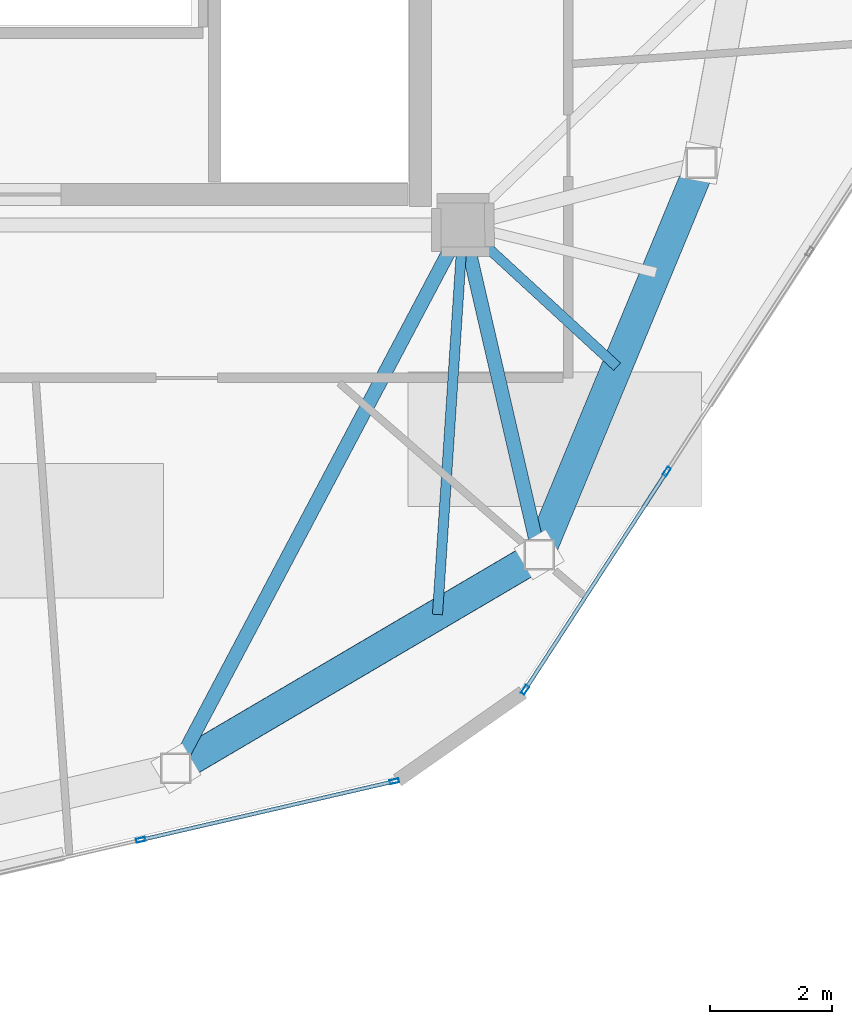
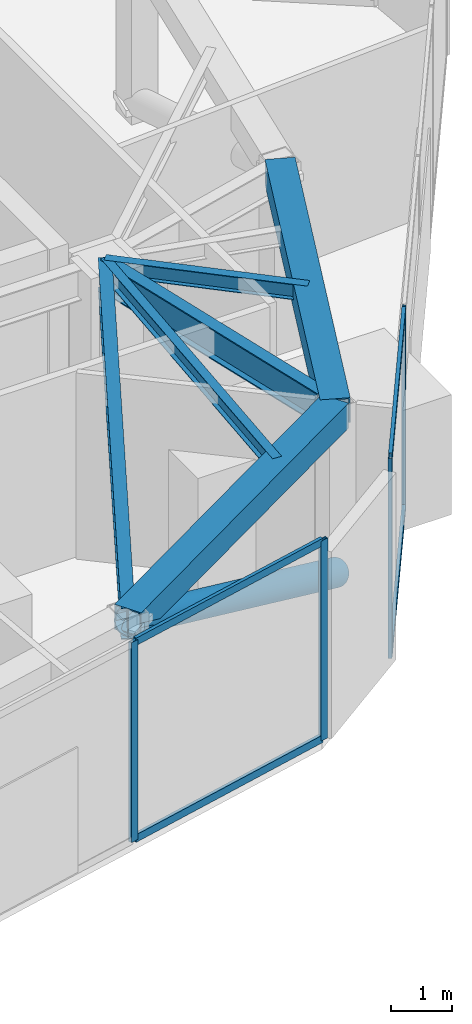
# One storey, part 7 of 20: 9 members, 6 beams, 2 elements without a shape of their own.
"""IFC4 building model written with IfcOpenShell, lengths in metres."""

import ifcopenshell
import ifcopenshell.guid

model = None  # the IFC model being written
_history = None  # IfcOwnerHistory: only IFC2X3 demands one
_inside = {}  # id of a spatial element -> (the spatial element, [elements in it])
_under = {}  # id of a project, library or spatial element -> (it, [spatial elements below it])
_declared = {}  # id of a project -> (the project, [libraries it declares])
_typed = {}  # id of a type object -> (the type object, [elements of that type])
_made_of = {}  # id of a material, layer set ... -> (it, [elements and type objects made of it])


def new_model(schema):
    """Start an empty IFC model of exactly this schema.

    Asked for "IFC4X3", IfcOpenShell would pick the latest addendum, in which some entities
    have other attributes; the version numbers below select the first issue.
    IFC2X3 requires an IfcOwnerHistory on every rooted entity: one is made here for all.
    """
    global model, _history
    if schema == "IFC4X3":
        model = ifcopenshell.file(schema_version=(4, 3, 0, 0))
    else:
        model = ifcopenshell.file(schema=schema)
    _inside.clear()
    _under.clear()
    _declared.clear()
    _typed.clear()
    _made_of.clear()
    _history = None
    if model.schema == "IFC2X3":
        org = make("IfcOrganization", Name="unknown")
        user = make(
            "IfcPersonAndOrganization",
            ThePerson=make("IfcPerson", FamilyName="unknown"),
            TheOrganization=org,
        )
        app = make(
            "IfcApplication",
            ApplicationDeveloper=org,
            Version="unknown",
            ApplicationFullName="unknown",
            ApplicationIdentifier="unknown",
        )
        _history = make(
            "IfcOwnerHistory",
            OwningUser=user,
            OwningApplication=app,
            ChangeAction="ADDED",
            CreationDate=0,
        )
    return model


def make(cls, **values):
    """One entity of the class cls with the attributes given. An attribute that is None is left unset."""
    return model.create_entity(
        cls, **{name: value for name, value in values.items() if value is not None}
    )


def rooted(cls, **values):
    """An entity with a GlobalId (a new one), such as an element, a storey or a relation."""
    return make(cls, GlobalId=ifcopenshell.guid.new(), OwnerHistory=_history, **values)


def si_unit(unit_type, name, prefix=None):
    """IfcSIUnit, for example si_unit("LENGTHUNIT", "METRE", prefix="MILLI")."""
    return make("IfcSIUnit", UnitType=unit_type, Prefix=prefix, Name=name)


def assignment(units):
    """IfcUnitAssignment: the units of a project."""
    return None if units is None else make("IfcUnitAssignment", Units=units)


def point(xyz):
    """IfcCartesianPoint."""
    return None if xyz is None else make("IfcCartesianPoint", Coordinates=xyz)


def direction(xyz):
    """IfcDirection."""
    return None if xyz is None else make("IfcDirection", DirectionRatios=xyz)


def frame(location, z_axis=None, x_axis=None):
    """IfcAxis2Placement3D, a coordinate frame: its origin and axes. An axis left out is left unset."""
    return make(
        "IfcAxis2Placement3D",
        Location=point(location),
        Axis=direction(z_axis),
        RefDirection=direction(x_axis),
    )


def frame_2d(location, x_axis=None):
    """IfcAxis2Placement2D, a coordinate frame in the plane: its origin and x axis."""
    return make(
        "IfcAxis2Placement2D", Location=point(location), RefDirection=direction(x_axis)
    )


def origin():
    """The frame at (0, 0, 0) with its axes left unset."""
    return frame((0.0, 0.0, 0.0))


def origin_2d():
    """The frame at (0, 0) in the plane with its x axis left unset."""
    return frame_2d((0.0, 0.0))


def place(relative_to, where):
    """IfcLocalPlacement: puts the frame where relative to a parent placement (None: the world)."""
    return make(
        "IfcLocalPlacement", PlacementRelTo=relative_to, RelativePlacement=where
    )


def context(
    kind, dimensions, precision=None, world=None, true_north=None, identifier=None
):
    """IfcGeometricRepresentationContext, for example the 3D "Model" context."""
    return make(
        "IfcGeometricRepresentationContext",
        ContextIdentifier=identifier,
        ContextType=kind,
        CoordinateSpaceDimension=dimensions,
        Precision=precision,
        WorldCoordinateSystem=world,
        TrueNorth=true_north,
    )


def subcontext(parent, identifier, kind, view, scale=None):
    """IfcGeometricRepresentationSubContext, for example "Body" below "Model"."""
    return make(
        "IfcGeometricRepresentationSubContext",
        ContextIdentifier=identifier,
        ContextType=kind,
        ParentContext=parent,
        TargetScale=scale,
        TargetView=view,
    )


def project(units=None, contexts=None):
    """IfcProject with its units and contexts."""
    return rooted(
        "IfcProject",
        Name="project",
        RepresentationContexts=contexts,
        UnitsInContext=assignment(units),
    )


def spatial(cls, under=None, at=None, **own):
    """A site, building, storey or space (cls), placed at a placement, below another one or the project."""
    s = rooted(cls, ObjectPlacement=at, **own)
    if under is not None:
        _under.setdefault(under.id(), (under, []))[1].append(s)
    return s


def profile(cls, at=None, kind="AREA", **sizes):
    """A parametric profile (cls). Its sizes go by their IFC names, for example OverallWidth=200.0."""
    return make(cls, ProfileType=kind, Position=at, **sizes)


def hollow_rectangle(**sizes):
    """IfcRectangleHollowProfileDef."""
    return profile("IfcRectangleHollowProfileDef", **sizes)


def hollow_circle(**sizes):
    """IfcCircleHollowProfileDef."""
    return profile("IfcCircleHollowProfileDef", **sizes)


def i_section(**sizes):
    """IfcIShapeProfileDef."""
    return profile("IfcIShapeProfileDef", **sizes)


def extrude(swept, where, along, depth):
    """IfcExtrudedAreaSolid: the profile swept, set in the frame where, extruded along a direction by depth."""
    return make(
        "IfcExtrudedAreaSolid",
        SweptArea=swept,
        Position=where,
        ExtrudedDirection=direction(along),
        Depth=depth,
    )


def shape(context_of_items, identifier, shape_type, items):
    """IfcShapeRepresentation: the items that make up one representation, for example the "Body"."""
    return make(
        "IfcShapeRepresentation",
        ContextOfItems=context_of_items,
        RepresentationIdentifier=identifier,
        RepresentationType=shape_type,
        Items=items,
    )


def source(mapping_origin, context_of_items, identifier, shape_type, items):
    """IfcRepresentationMap: a shape defined once, which mapped items show again and again."""
    return make(
        "IfcRepresentationMap",
        MappingOrigin=mapping_origin,
        MappedRepresentation=shape(context_of_items, identifier, shape_type, items),
    )


def transform(
    local_origin,
    x_axis=None,
    y_axis=None,
    z_axis=None,
    scale=None,
    scale2=None,
    scale3=None,
    uniform=True,
):
    """IfcCartesianTransformationOperator3D, or its non-uniform kind. x_axis, y_axis, z_axis: its Axis1, 2, 3."""
    if uniform:
        return make(
            "IfcCartesianTransformationOperator3D",
            Axis1=direction(x_axis),
            Axis2=direction(y_axis),
            LocalOrigin=point(local_origin),
            Scale=scale,
            Axis3=direction(z_axis),
        )
    return make(
        "IfcCartesianTransformationOperator3DnonUniform",
        Axis1=direction(x_axis),
        Axis2=direction(y_axis),
        LocalOrigin=point(local_origin),
        Scale=scale,
        Axis3=direction(z_axis),
        Scale2=scale2,
        Scale3=scale3,
    )


def mapped(mapping_source, mapping_target):
    """IfcMappedItem: shows the shape of a source again, moved by a transform."""
    return make(
        "IfcMappedItem", MappingSource=mapping_source, MappingTarget=mapping_target
    )


def material(Name=None, Category=None):
    """IfcMaterial."""
    return make("IfcMaterial", Name=Name, Category=Category)


def layer(
    of_material, thickness, ventilated=None, Name=None, Category=None, Priority=None
):
    """IfcMaterialLayer: one layer of a wall or slab, of a material (None: an air gap)."""
    return make(
        "IfcMaterialLayer",
        Material=of_material,
        LayerThickness=thickness,
        IsVentilated=ventilated,
        Name=Name,
        Category=Category,
        Priority=Priority,
    )


def layer_set(layers, Name=None):
    """IfcMaterialLayerSet."""
    return make("IfcMaterialLayerSet", MaterialLayers=layers, LayerSetName=Name)


def material_profile(
    of_material, cross_section, Name=None, Category=None, Priority=None
):
    """IfcMaterialProfile: a cross section and its material."""
    return make(
        "IfcMaterialProfile",
        Name=Name,
        Material=of_material,
        Profile=cross_section,
        Priority=Priority,
        Category=Category,
    )


def profile_set(profiles, Name=None, composite=None):
    """IfcMaterialProfileSet."""
    return make(
        "IfcMaterialProfileSet",
        Name=Name,
        MaterialProfiles=profiles,
        CompositeProfile=composite,
    )


def made_of(thing, what):
    """Note that an element or type object is made of a material, layer set ...; save() writes the relation."""
    if what is not None:
        _made_of.setdefault(what.id(), (what, []))[1].append(thing)
    return thing


def type_object(cls, material=None, **own):
    """A type object (cls), such as IfcWallType, which elements share."""
    return made_of(rooted(cls, **own), material)


def type_shapes(of_type, sources):
    """Give a type object the sources (RepresentationMaps) that its elements show as mapped items."""
    of_type.RepresentationMaps = sources


def element(
    cls,
    number,
    at=None,
    inside=None,
    cuts=None,
    type_object=None,
    material=None,
    context=None,
    identifier="Body",
    shape_type=None,
    held_by="IfcProductDefinitionShape",
    body=None,
    shapes=None,
    **own,
):
    """One element of the class cls, such as IfcWall. Its Tag is "e" and its number.

    at: its placement. inside: the storey or other place that contains it. cuts: it is an
    opening in that element (IfcRelVoidsElement). A single representation is given by context,
    identifier, shape_type and body (its items); several are given by shapes. held_by: the class
    of the entity that holds the representations. save() writes the other relations.
    """
    e = rooted(cls, Tag="e%d" % number, ObjectPlacement=at, **own)
    if body is not None:
        shapes = [shape(context, identifier, shape_type, body)]
    if shapes is not None:
        e.Representation = make(held_by, Representations=shapes)
    if inside is not None:
        _inside.setdefault(inside.id(), (inside, []))[1].append(e)
    if cuts is not None:
        rooted(
            "IfcRelVoidsElement", RelatingBuildingElement=cuts, RelatedOpeningElement=e
        )
    if type_object is not None:
        _typed.setdefault(type_object.id(), (type_object, []))[1].append(e)
    return made_of(e, material)


def aggregate(whole, parts):
    """IfcRelAggregates: a whole, such as a stair, and the parts it consists of."""
    return rooted("IfcRelAggregates", RelatingObject=whole, RelatedObjects=parts)


def save(model, path):
    """Write the relations noted so far, then the file.

    IfcRelAggregates (storeys below a building ...), IfcRelContainedInSpatialStructure (elements
    in a storey), IfcRelDefinesByType, IfcRelAssociatesMaterial and IfcRelDeclares: one each for
    every whole, place, type object, material and project.
    """
    for whole, parts in _under.values():
        aggregate(whole, parts)
    for where, things in _inside.values():
        rooted(
            "IfcRelContainedInSpatialStructure",
            RelatedElements=things,
            RelatingStructure=where,
        )
    for kind, things in _typed.values():
        rooted("IfcRelDefinesByType", RelatedObjects=things, RelatingType=kind)
    for what, things in _made_of.values():
        rooted("IfcRelAssociatesMaterial", RelatedObjects=things, RelatingMaterial=what)
    for by, libraries in _declared.values():
        rooted("IfcRelDeclares", RelatingContext=by, RelatedDefinitions=libraries)
    model.write(path)


model = new_model("IFC4")

# Units and contexts
model_context = context("Model", 3, precision=1e-05, world=origin(), true_north=direction((0.0, 1.0)))
body_context = subcontext(model_context, "Body", "Model", "MODEL_VIEW")
ifc_project = project(units=[si_unit("LENGTHUNIT", "METRE"), si_unit("AREAUNIT", "SQUARE_METRE"), si_unit("VOLUMEUNIT", "CUBIC_METRE"), si_unit("PLANEANGLEUNIT", "RADIAN"), si_unit("MASSUNIT", "GRAM", prefix="KILO")], contexts=[model_context])

# Site, building, storey
site_placement = place(None, origin())
site = spatial("IfcSite", under=ifc_project, at=site_placement, CompositionType="ELEMENT")
building_placement = place(site_placement, origin())
building = spatial("IfcBuilding", under=site, at=building_placement, Name="Talar Marvaseh", CompositionType="ELEMENT")
storey_placement = place(building_placement, frame((0.0, 0.0, 312.0)))
storey = spatial("IfcBuildingStorey", under=building, at=storey_placement, Name="L83", CompositionType="ELEMENT", Elevation=312.0)

# Beams
ifc_material_1 = material(Name="Steel S460", Category="steel")
ifc_material_profile_1 = material_profile(ifc_material_1, hollow_rectangle(XDim=0.5, YDim=0.5, WallThickness=0.02490234375, at=origin_2d()), Name="BOX500x500x25")
ifc_profile_set_1 = profile_set([ifc_material_profile_1], Name="Steel S460")
beam_type_1 = type_object("IfcBeamType", Name="Crown Frame Top Ring Beam BOX500x500x25", PredefinedType="BEAM", material=ifc_profile_set_1)
beam_1_placement = place(storey_placement, frame((37.197021484375, 26.513916015625, 3.47509765625), z_axis=(-0.382798740112, -0.923831762048, 0.0), x_axis=(0.923831762048, -0.382798740112, 0.0)))
element("IfcBeam", 1, at=beam_1_placement, inside=storey, type_object=beam_type_1, Name="L83 Crown Frame Top Ring Beam BOX500x500x25", PredefinedType="BEAM", context=body_context, shape_type="SweptSolid", body=[
    extrude(hollow_rectangle(XDim=0.5, YDim=0.5, WallThickness=0.02490234375, at=origin_2d()), origin(), (0.0, 0.0, 1.0), 6.9306640625),
])
beam_2_placement = place(storey_placement, frame((34.5439453125, 20.111083984375, 3.47509765625), z_axis=(-0.861894136287, -0.507088254482, 0.0), x_axis=(0.507088254482, -0.861894136287, 0.0)))
element("IfcBeam", 2, at=beam_2_placement, inside=storey, type_object=beam_type_1, Name="L83 Crown Frame Top Ring Beam BOX500x500x25", PredefinedType="BEAM", context=body_context, shape_type="SweptSolid", body=[
    extrude(hollow_rectangle(XDim=0.5, YDim=0.5, WallThickness=0.02490234375, at=origin_2d()), origin(), (0.0, 0.0, 1.0), 6.890625),
])
ifc_material_2 = material(Name="Steel S355", Category="steel")
ifc_material_profile_2 = material_profile(ifc_material_2, i_section(OverallWidth=0.166015625, OverallDepth=0.31298828125, WebThickness=0.006591796875, FlangeThickness=0.01123046875, at=origin_2d()), Name="W310x45")
ifc_profile_set_2 = profile_set([ifc_material_profile_2], Name="Steel S355")
beam_type_2 = type_object("IfcBeamType", Name="Zone 3 Secondary Floor Joist W310x45", PredefinedType="JOIST", material=ifc_profile_set_2)
beam_3_placement = place(storey_placement, frame((35.8173828125, 23.184326171875, 3.568603515625), z_axis=(-0.735970843201, 0.677013233223, 0.0), x_axis=(-0.677013233223, -0.735970843201, 0.0)))
element("IfcBeam", 3, at=beam_3_placement, inside=storey, type_object=beam_type_2, Name="L83 Zone 3 Secondary Floor Joist W310x45", PredefinedType="JOIST", context=body_context, shape_type="SweptSolid", body=[
    extrude(i_section(OverallWidth=0.166015625, OverallDepth=0.31298828125, WebThickness=0.006591796875, FlangeThickness=0.01123046875, at=origin_2d()), origin(), (0.0, 0.0, 1.0), 3.42041015625),
])
beam_4_placement = place(storey_placement, frame((32.881103515625, 19.1328125, 3.568603515625), z_axis=(0.065655577597, 0.997842344827, 0.0), x_axis=(-0.997842344827, 0.065655577597, 0.0)))
element("IfcBeam", 4, at=beam_4_placement, inside=storey, type_object=beam_type_2, Name="L83 Zone 3 Secondary Floor Joist W310x45", PredefinedType="JOIST", context=body_context, shape_type="SweptSolid", body=[
    extrude(i_section(OverallWidth=0.166015625, OverallDepth=0.31298828125, WebThickness=0.006591796875, FlangeThickness=0.01123046875, at=origin_2d()), origin(), (0.0, 0.0, 1.0), 6.380859375),
])
ifc_material_profile_3 = material_profile(ifc_material_2, i_section(OverallWidth=0.22998046875, OverallDepth=0.616943359375, WebThickness=0.01318359375, FlangeThickness=0.022216796875, at=origin_2d()), Name="W610x140")
ifc_profile_set_3 = profile_set([ifc_material_profile_3], Name="Steel S355")
beam_type_3 = type_object("IfcBeamType", Name="Zone 4 Radial Floor Girder W610x140", PredefinedType="BEAM", material=ifc_profile_set_3)
beam_5_placement = place(storey_placement, frame((34.5439453125, 20.111083984375, 3.41650390625), z_axis=(-0.22491108979, 0.974379290466, 0.0), x_axis=(-0.974379290466, -0.22491108979, 0.0)))
element("IfcBeam", 5, at=beam_5_placement, inside=storey, type_object=beam_type_3, Name="L83 Zone 4 Radial Floor Girder W610x140", PredefinedType="BEAM", context=body_context, shape_type="SweptSolid", body=[
    extrude(i_section(OverallWidth=0.22998046875, OverallDepth=0.616943359375, WebThickness=0.01318359375, FlangeThickness=0.022216796875, at=origin_2d()), origin(), (0.0, 0.0, 1.0), 5.530517578125),
])
beam_6_placement = place(storey_placement, frame((28.60498046875, 16.616943359375, 3.41650390625), z_axis=(0.467286976471, 0.884105695955, 0.0), x_axis=(-0.884105695955, 0.467286976471, 0.0)))
element("IfcBeam", 6, at=beam_6_placement, inside=storey, type_object=beam_type_3, Name="L83 Zone 4 Radial Floor Girder W610x140", PredefinedType="BEAM", context=body_context, shape_type="SweptSolid", body=[
    extrude(i_section(OverallWidth=0.22998046875, OverallDepth=0.616943359375, WebThickness=0.01318359375, FlangeThickness=0.022216796875, at=origin_2d()), origin(), (0.0, 0.0, 1.0), 10.047607421875),
])

# Member
ifc_material_profile_4 = material_profile(ifc_material_1, hollow_circle(Radius=0.25390625, WallThickness=0.02001953125, at=origin_2d()), Name="CHS508x20")
ifc_profile_set_4 = profile_set([ifc_material_profile_4], Name="Steel S460")
member_type_1 = type_object("IfcMemberType", Name="Crown Frame Diagonal Brace CHS508x20", PredefinedType="BRACE", material=ifc_profile_set_4)
shared_shape_1 = source(origin(), body_context, "Body", "SweptSolid", [
    extrude(hollow_circle(Radius=0.25390625, WallThickness=0.02001953125, at=origin_2d()), origin(), (0.0, 0.0, 1.0), 7.60791015625),
])
type_shapes(member_type_1, [shared_shape_1])
member_1_placement = place(storey_placement, frame((34.5439453125, 20.111083984375, 0.25), z_axis=(-0.780621622808, -0.459272246387, 0.423909053576), x_axis=(0.507088254482, -0.861894136287, 0.0)))
element("IfcMember", 7, at=member_1_placement, inside=storey, type_object=member_type_1, Name="L83 Crown Frame Diagonal Brace 9", PredefinedType="BRACE", context=body_context, shape_type="MappedRepresentation", body=[
    mapped(shared_shape_1, transform((0.0, 0.0, 0.0), x_axis=(1.0, 0.0, 0.0), y_axis=(0.0, 1.0, 0.0), z_axis=(0.0, 0.0, 1.0), scale=1.0)),
])

# Curtain wall, members
ifc_material_3 = material(Name="Architectural Aluminium", Category="aluminium")
ifc_layer = layer(ifc_material_3, 0.2099609375)
ifc_layer_set = layer_set([ifc_layer], Name="Architectural Aluminium")
curtain_wall_type = type_object("IfcCurtainWallType", Name="Crown Plant Acoustic Spandrel Curtain Wall", PredefinedType="NOTDEFINED", material=ifc_layer_set)
curtain_wall_1_placement = place(storey_placement, origin())
curtain_wall_1 = element("IfcCurtainWall", 8, at=curtain_wall_1_placement, inside=storey, type_object=curtain_wall_type, Name="L83 Crown Plant Acoustic Spandrel Curtain Wall", PredefinedType="NOTDEFINED")
ifc_material_profile_5 = material_profile(ifc_material_3, hollow_rectangle(XDim=0.06494140625, YDim=0.14990234375, WallThickness=0.00390625, at=origin_2d()), Name="RHS150x65x4")
ifc_profile_set_5 = profile_set([ifc_material_profile_5], Name="Architectural Aluminium")
member_type_2 = type_object("IfcMemberType", Name="Unitised Curtain Wall Slim Transom RHS150x65x4", PredefinedType="USERDEFINED", material=ifc_profile_set_5)
shared_shape_2 = source(origin(), body_context, "Body", "SweptSolid", [
    extrude(hollow_rectangle(XDim=0.06494140625, YDim=0.14990234375, WallThickness=0.00390625, at=origin_2d()), origin(), (0.0, 0.0, 1.0), 4.188720703125),
])
type_shapes(member_type_2, [shared_shape_2])
member_2_placement = place(storey_placement, frame((36.612060546875, 21.44140625, 0.032470703125), z_axis=(-0.544734287776, -0.838608702388, 0.0), x_axis=(0.838608702388, -0.544734287776, 0.0)))
member_2 = element("IfcMember", 9, at=member_2_placement, type_object=member_type_2, Name="CW-CRN transom 4.1", ObjectType="TRANSOM", PredefinedType="USERDEFINED", context=body_context, shape_type="MappedRepresentation", body=[
    mapped(shared_shape_2, transform((0.0, 0.0, 0.0), x_axis=(1.0, 0.0, 0.0), y_axis=(0.0, 1.0, 0.0), z_axis=(0.0, 0.0, 1.0), scale=1.0)),
])
member_3_placement = place(storey_placement, frame((36.612060546875, 21.44140625, 3.967529296875), z_axis=(-0.544734287776, -0.838608702388, 0.0), x_axis=(0.838608702388, -0.544734287776, 0.0)))
member_3 = element("IfcMember", 10, at=member_3_placement, type_object=member_type_2, Name="CW-CRN transom 4.2", ObjectType="TRANSOM", PredefinedType="USERDEFINED", context=body_context, shape_type="MappedRepresentation", body=[
    mapped(shared_shape_2, transform((0.0, 0.0, 0.0), x_axis=(1.0, 0.0, 0.0), y_axis=(0.0, 1.0, 0.0), z_axis=(0.0, 0.0, 1.0), scale=1.0)),
])

curtain_wall_2_placement = place(storey_placement, origin())
curtain_wall_2 = element("IfcCurtainWall", 11, at=curtain_wall_2_placement, inside=storey, type_object=curtain_wall_type, Name="L83 Crown Plant Acoustic Spandrel Curtain Wall", PredefinedType="NOTDEFINED")
member_4_placement = place(storey_placement, frame((32.144775390625, 16.398681640625, 0.032470703125), z_axis=(-0.974321401186, -0.225161735629, 0.0), x_axis=(0.225161735629, -0.974321401186, 0.0)))
member_4 = element("IfcMember", 12, at=member_4_placement, type_object=member_type_2, Name="CW-CRN transom 1.1", ObjectType="TRANSOM", PredefinedType="USERDEFINED", context=body_context, shape_type="MappedRepresentation", body=[
    mapped(shared_shape_2, transform((0.0, 0.0, 0.0), x_axis=(1.0, 0.0, 0.0), y_axis=(0.0, 1.0, 0.0), z_axis=(0.0, 0.0, 1.0), scale=1.0)),
])
member_5_placement = place(storey_placement, frame((32.144775390625, 16.398681640625, 3.967529296875), z_axis=(-0.974321401186, -0.225161735629, 0.0), x_axis=(0.225161735629, -0.974321401186, 0.0)))
member_5 = element("IfcMember", 13, at=member_5_placement, type_object=member_type_2, Name="CW-CRN transom 1.2", ObjectType="TRANSOM", PredefinedType="USERDEFINED", context=body_context, shape_type="MappedRepresentation", body=[
    mapped(shared_shape_2, transform((0.0, 0.0, 0.0), x_axis=(1.0, 0.0, 0.0), y_axis=(0.0, 1.0, 0.0), z_axis=(0.0, 0.0, 1.0), scale=1.0)),
])

# Member
ifc_material_profile_6 = material_profile(ifc_material_3, hollow_rectangle(XDim=0.06494140625, YDim=0.14990234375, WallThickness=0.00390625, at=origin_2d()), Name="RHS150x65x4")
ifc_profile_set_6 = profile_set([ifc_material_profile_6], Name="Architectural Aluminium")
member_type_3 = type_object("IfcMemberType", Name="Unitised Curtain Wall Slim Mullion RHS150x65x4", PredefinedType="MULLION", material=ifc_profile_set_6)
shared_shape_3 = source(origin(), body_context, "Body", "SweptSolid", [
    extrude(hollow_rectangle(XDim=0.06494140625, YDim=0.14990234375, WallThickness=0.00390625, at=origin_2d()), origin(), (0.0, 0.0, 1.0), 4.0),
])
type_shapes(member_type_3, [shared_shape_3])
member_6_placement = place(storey_placement, frame((36.6298828125, 21.46875, 0.0), z_axis=(0.0, 0.0, 1.0), x_axis=(0.838585906919, -0.544769379387, 0.0)))
member_6 = element("IfcMember", 14, at=member_6_placement, type_object=member_type_3, Name="CW-CRN mullion 4", PredefinedType="MULLION", context=body_context, shape_type="MappedRepresentation", body=[
    mapped(shared_shape_3, transform((0.0, 0.0, 0.0), x_axis=(1.0, 0.0, 0.0), y_axis=(0.0, 1.0, 0.0), z_axis=(0.0, 0.0, 1.0), scale=1.0)),
])

member_7_placement = place(storey_placement, frame((34.3125, 17.901611328125, 0.0), z_axis=(0.0, 0.0, 1.0), x_axis=(0.838585906919, -0.544769379387, 0.0)))
member_7 = element("IfcMember", 15, at=member_7_placement, type_object=member_type_3, Name="CW-CRN mullion 5", PredefinedType="MULLION", context=body_context, shape_type="MappedRepresentation", body=[
    mapped(shared_shape_3, transform((0.0, 0.0, 0.0), x_axis=(1.0, 0.0, 0.0), y_axis=(0.0, 1.0, 0.0), z_axis=(0.0, 0.0, 1.0), scale=1.0)),
])

aggregate(curtain_wall_1, [member_6, member_7, member_2, member_3])

member_8_placement = place(storey_placement, frame((32.176513671875, 16.406005859375, 0.0), z_axis=(0.0, 0.0, 1.0), x_axis=(0.225103157943, -0.974334936397, 0.0)))
member_8 = element("IfcMember", 16, at=member_8_placement, type_object=member_type_3, Name="CW-CRN mullion 1", PredefinedType="MULLION", context=body_context, shape_type="MappedRepresentation", body=[
    mapped(shared_shape_3, transform((0.0, 0.0, 0.0), x_axis=(1.0, 0.0, 0.0), y_axis=(0.0, 1.0, 0.0), z_axis=(0.0, 0.0, 1.0), scale=1.0)),
])

member_9_placement = place(storey_placement, frame((28.031982421875, 15.4482421875, 0.0), z_axis=(0.0, 0.0, 1.0), x_axis=(0.225103157943, -0.974334936397, 0.0)))
member_9 = element("IfcMember", 17, at=member_9_placement, type_object=member_type_3, Name="CW-CRN mullion 2", PredefinedType="MULLION", context=body_context, shape_type="MappedRepresentation", body=[
    mapped(shared_shape_3, transform((0.0, 0.0, 0.0), x_axis=(1.0, 0.0, 0.0), y_axis=(0.0, 1.0, 0.0), z_axis=(0.0, 0.0, 1.0), scale=1.0)),
])

aggregate(curtain_wall_2, [member_8, member_9, member_4, member_5])

save(model, "model.ifc")
